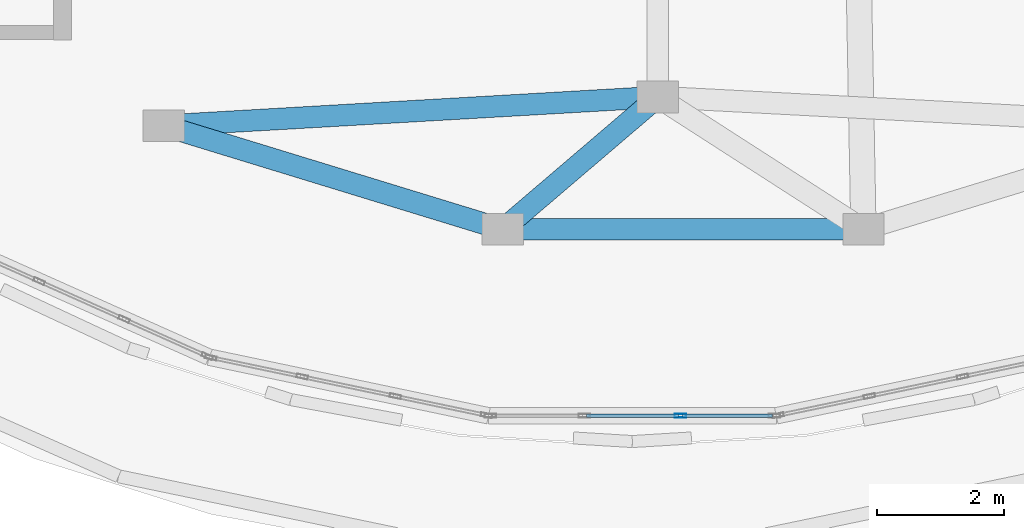
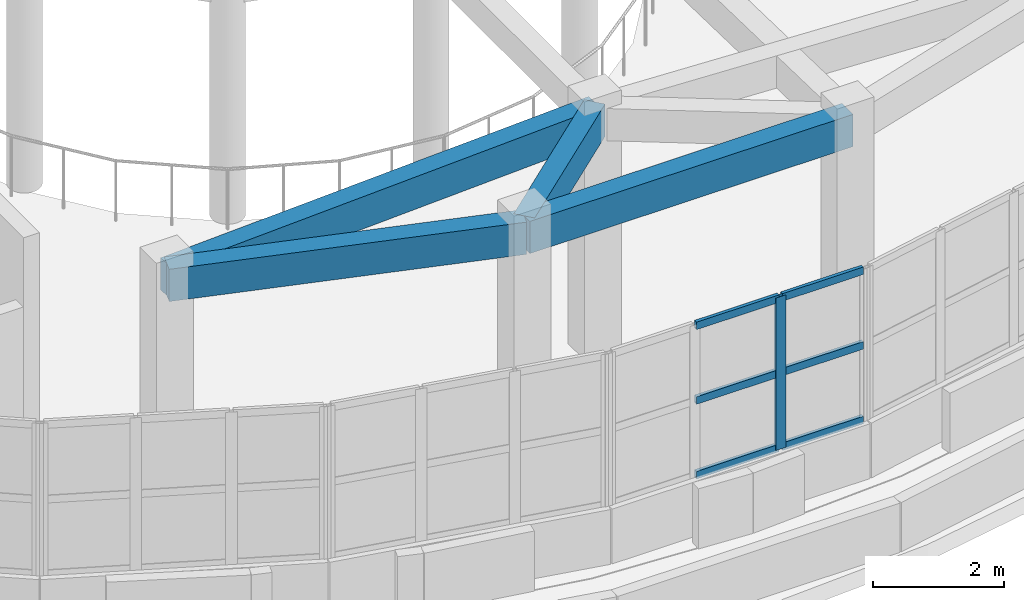
# One storey, part 6 of 98: 7 members, 4 beams, 1 element without a shape of its own.
"""IFC4 building model written with IfcOpenShell, lengths in metres."""

import ifcopenshell
import ifcopenshell.guid

model = None  # the IFC model being written
_history = None  # IfcOwnerHistory: only IFC2X3 demands one
_inside = {}  # id of a spatial element -> (the spatial element, [elements in it])
_under = {}  # id of a project, library or spatial element -> (it, [spatial elements below it])
_declared = {}  # id of a project -> (the project, [libraries it declares])
_typed = {}  # id of a type object -> (the type object, [elements of that type])
_made_of = {}  # id of a material, layer set ... -> (it, [elements and type objects made of it])


def new_model(schema):
    """Start an empty IFC model of exactly this schema.

    Asked for "IFC4X3", IfcOpenShell would pick the latest addendum, in which some entities
    have other attributes; the version numbers below select the first issue.
    IFC2X3 requires an IfcOwnerHistory on every rooted entity: one is made here for all.
    """
    global model, _history
    if schema == "IFC4X3":
        model = ifcopenshell.file(schema_version=(4, 3, 0, 0))
    else:
        model = ifcopenshell.file(schema=schema)
    _inside.clear()
    _under.clear()
    _declared.clear()
    _typed.clear()
    _made_of.clear()
    _history = None
    if model.schema == "IFC2X3":
        org = make("IfcOrganization", Name="unknown")
        user = make(
            "IfcPersonAndOrganization",
            ThePerson=make("IfcPerson", FamilyName="unknown"),
            TheOrganization=org,
        )
        app = make(
            "IfcApplication",
            ApplicationDeveloper=org,
            Version="unknown",
            ApplicationFullName="unknown",
            ApplicationIdentifier="unknown",
        )
        _history = make(
            "IfcOwnerHistory",
            OwningUser=user,
            OwningApplication=app,
            ChangeAction="ADDED",
            CreationDate=0,
        )
    return model


def make(cls, **values):
    """One entity of the class cls with the attributes given. An attribute that is None is left unset."""
    return model.create_entity(
        cls, **{name: value for name, value in values.items() if value is not None}
    )


def rooted(cls, **values):
    """An entity with a GlobalId (a new one), such as an element, a storey or a relation."""
    return make(cls, GlobalId=ifcopenshell.guid.new(), OwnerHistory=_history, **values)


def si_unit(unit_type, name, prefix=None):
    """IfcSIUnit, for example si_unit("LENGTHUNIT", "METRE", prefix="MILLI")."""
    return make("IfcSIUnit", UnitType=unit_type, Prefix=prefix, Name=name)


def assignment(units):
    """IfcUnitAssignment: the units of a project."""
    return None if units is None else make("IfcUnitAssignment", Units=units)


def point(xyz):
    """IfcCartesianPoint."""
    return None if xyz is None else make("IfcCartesianPoint", Coordinates=xyz)


def direction(xyz):
    """IfcDirection."""
    return None if xyz is None else make("IfcDirection", DirectionRatios=xyz)


def frame(location, z_axis=None, x_axis=None):
    """IfcAxis2Placement3D, a coordinate frame: its origin and axes. An axis left out is left unset."""
    return make(
        "IfcAxis2Placement3D",
        Location=point(location),
        Axis=direction(z_axis),
        RefDirection=direction(x_axis),
    )


def frame_2d(location, x_axis=None):
    """IfcAxis2Placement2D, a coordinate frame in the plane: its origin and x axis."""
    return make(
        "IfcAxis2Placement2D", Location=point(location), RefDirection=direction(x_axis)
    )


def origin():
    """The frame at (0, 0, 0) with its axes left unset."""
    return frame((0.0, 0.0, 0.0))


def origin_2d():
    """The frame at (0, 0) in the plane with its x axis left unset."""
    return frame_2d((0.0, 0.0))


def place(relative_to, where):
    """IfcLocalPlacement: puts the frame where relative to a parent placement (None: the world)."""
    return make(
        "IfcLocalPlacement", PlacementRelTo=relative_to, RelativePlacement=where
    )


def context(
    kind, dimensions, precision=None, world=None, true_north=None, identifier=None
):
    """IfcGeometricRepresentationContext, for example the 3D "Model" context."""
    return make(
        "IfcGeometricRepresentationContext",
        ContextIdentifier=identifier,
        ContextType=kind,
        CoordinateSpaceDimension=dimensions,
        Precision=precision,
        WorldCoordinateSystem=world,
        TrueNorth=true_north,
    )


def subcontext(parent, identifier, kind, view, scale=None):
    """IfcGeometricRepresentationSubContext, for example "Body" below "Model"."""
    return make(
        "IfcGeometricRepresentationSubContext",
        ContextIdentifier=identifier,
        ContextType=kind,
        ParentContext=parent,
        TargetScale=scale,
        TargetView=view,
    )


def project(units=None, contexts=None):
    """IfcProject with its units and contexts."""
    return rooted(
        "IfcProject",
        Name="project",
        RepresentationContexts=contexts,
        UnitsInContext=assignment(units),
    )


def spatial(cls, under=None, at=None, **own):
    """A site, building, storey or space (cls), placed at a placement, below another one or the project."""
    s = rooted(cls, ObjectPlacement=at, **own)
    if under is not None:
        _under.setdefault(under.id(), (under, []))[1].append(s)
    return s


def profile(cls, at=None, kind="AREA", **sizes):
    """A parametric profile (cls). Its sizes go by their IFC names, for example OverallWidth=200.0."""
    return make(cls, ProfileType=kind, Position=at, **sizes)


def rectangle(**sizes):
    """IfcRectangleProfileDef."""
    return profile("IfcRectangleProfileDef", **sizes)


def hollow_rectangle(**sizes):
    """IfcRectangleHollowProfileDef."""
    return profile("IfcRectangleHollowProfileDef", **sizes)


def extrude(swept, where, along, depth):
    """IfcExtrudedAreaSolid: the profile swept, set in the frame where, extruded along a direction by depth."""
    return make(
        "IfcExtrudedAreaSolid",
        SweptArea=swept,
        Position=where,
        ExtrudedDirection=direction(along),
        Depth=depth,
    )


def shape(context_of_items, identifier, shape_type, items):
    """IfcShapeRepresentation: the items that make up one representation, for example the "Body"."""
    return make(
        "IfcShapeRepresentation",
        ContextOfItems=context_of_items,
        RepresentationIdentifier=identifier,
        RepresentationType=shape_type,
        Items=items,
    )


def material(Name=None, Category=None):
    """IfcMaterial."""
    return make("IfcMaterial", Name=Name, Category=Category)


def layer(
    of_material, thickness, ventilated=None, Name=None, Category=None, Priority=None
):
    """IfcMaterialLayer: one layer of a wall or slab, of a material (None: an air gap)."""
    return make(
        "IfcMaterialLayer",
        Material=of_material,
        LayerThickness=thickness,
        IsVentilated=ventilated,
        Name=Name,
        Category=Category,
        Priority=Priority,
    )


def layer_set(layers, Name=None):
    """IfcMaterialLayerSet."""
    return make("IfcMaterialLayerSet", MaterialLayers=layers, LayerSetName=Name)


def material_profile(
    of_material, cross_section, Name=None, Category=None, Priority=None
):
    """IfcMaterialProfile: a cross section and its material."""
    return make(
        "IfcMaterialProfile",
        Name=Name,
        Material=of_material,
        Profile=cross_section,
        Priority=Priority,
        Category=Category,
    )


def profile_set(profiles, Name=None, composite=None):
    """IfcMaterialProfileSet."""
    return make(
        "IfcMaterialProfileSet",
        Name=Name,
        MaterialProfiles=profiles,
        CompositeProfile=composite,
    )


def made_of(thing, what):
    """Note that an element or type object is made of a material, layer set ...; save() writes the relation."""
    if what is not None:
        _made_of.setdefault(what.id(), (what, []))[1].append(thing)
    return thing


def type_object(cls, material=None, **own):
    """A type object (cls), such as IfcWallType, which elements share."""
    return made_of(rooted(cls, **own), material)


def element(
    cls,
    number,
    at=None,
    inside=None,
    cuts=None,
    type_object=None,
    material=None,
    context=None,
    identifier="Body",
    shape_type=None,
    held_by="IfcProductDefinitionShape",
    body=None,
    shapes=None,
    **own,
):
    """One element of the class cls, such as IfcWall. Its Tag is "e" and its number.

    at: its placement. inside: the storey or other place that contains it. cuts: it is an
    opening in that element (IfcRelVoidsElement). A single representation is given by context,
    identifier, shape_type and body (its items); several are given by shapes. held_by: the class
    of the entity that holds the representations. save() writes the other relations.
    """
    e = rooted(cls, Tag="e%d" % number, ObjectPlacement=at, **own)
    if body is not None:
        shapes = [shape(context, identifier, shape_type, body)]
    if shapes is not None:
        e.Representation = make(held_by, Representations=shapes)
    if inside is not None:
        _inside.setdefault(inside.id(), (inside, []))[1].append(e)
    if cuts is not None:
        rooted(
            "IfcRelVoidsElement", RelatingBuildingElement=cuts, RelatedOpeningElement=e
        )
    if type_object is not None:
        _typed.setdefault(type_object.id(), (type_object, []))[1].append(e)
    return made_of(e, material)


def aggregate(whole, parts):
    """IfcRelAggregates: a whole, such as a stair, and the parts it consists of."""
    return rooted("IfcRelAggregates", RelatingObject=whole, RelatedObjects=parts)


def save(model, path):
    """Write the relations noted so far, then the file.

    IfcRelAggregates (storeys below a building ...), IfcRelContainedInSpatialStructure (elements
    in a storey), IfcRelDefinesByType, IfcRelAssociatesMaterial and IfcRelDeclares: one each for
    every whole, place, type object, material and project.
    """
    for whole, parts in _under.values():
        aggregate(whole, parts)
    for where, things in _inside.values():
        rooted(
            "IfcRelContainedInSpatialStructure",
            RelatedElements=things,
            RelatingStructure=where,
        )
    for kind, things in _typed.values():
        rooted("IfcRelDefinesByType", RelatedObjects=things, RelatingType=kind)
    for what, things in _made_of.values():
        rooted("IfcRelAssociatesMaterial", RelatedObjects=things, RelatingMaterial=what)
    for by, libraries in _declared.values():
        rooted("IfcRelDeclares", RelatingContext=by, RelatedDefinitions=libraries)
    model.write(path)


model = new_model("IFC4")

# Units and contexts
model_context = context("Model", 3, precision=1e-05, world=origin(), true_north=direction((0.0, 1.0)))
body_context = subcontext(model_context, "Body", "Model", "MODEL_VIEW")
ifc_project = project(units=[si_unit("LENGTHUNIT", "METRE"), si_unit("AREAUNIT", "SQUARE_METRE"), si_unit("VOLUMEUNIT", "CUBIC_METRE"), si_unit("PLANEANGLEUNIT", "RADIAN"), si_unit("MASSUNIT", "GRAM", prefix="KILO")], contexts=[model_context])

# Site, building, storey
site_placement = place(None, origin())
site = spatial("IfcSite", under=ifc_project, at=site_placement, CompositionType="ELEMENT")
building_placement = place(site_placement, origin())
building = spatial("IfcBuilding", under=site, at=building_placement, Name="Pelvatis Terrace Science Centre", CompositionType="ELEMENT")
storey_placement = place(building_placement, frame((0.0, 0.0, 5.39990234375)))
storey = spatial("IfcBuildingStorey", under=building, at=storey_placement, Name="L01", CompositionType="ELEMENT", Elevation=5.39990234375)

# Curtain wall, members
ifc_material_1 = material(Name="Bronze-anodised aluminium and laminated glass", Category="aluminium")
ifc_layer = layer(ifc_material_1, 0.179931640625)
ifc_layer_set = layer_set([ifc_layer], Name="Bronze-anodised aluminium and laminated glass")
curtain_wall_type = type_object("IfcCurtainWallType", Name="CW-RIBBON-A", PredefinedType="NOTDEFINED", material=ifc_layer_set)
curtain_wall_placement = place(storey_placement, origin())
curtain_wall = element("IfcCurtainWall", 1, at=curtain_wall_placement, inside=storey, type_object=curtain_wall_type, Name="Ribbon curtain wall CW-036 (L01)", PredefinedType="NOTDEFINED")
ifc_material_2 = material(Name="Bronze-anodised aluminium 6063-T6", Category="aluminium")
ifc_material_profile_1 = material_profile(ifc_material_2, hollow_rectangle(XDim=0.06005859375, YDim=0.179931640625, WallThickness=0.00390625, at=origin_2d()), Name="ALU-MUL 60x180")
ifc_profile_set_1 = profile_set([ifc_material_profile_1], Name="Bronze-anodised aluminium 6063-T6")
member_type_1 = type_object("IfcMemberType", Name="CWM-60x180", PredefinedType="MULLION", material=ifc_profile_set_1)
member_1_placement = place(storey_placement, frame((47.157470703125, 18.866943359375, 1.02001953125), z_axis=(0.0, 0.0, 1.0), x_axis=(0.0, 1.0, 0.0)))
member_1 = element("IfcMember", 2, at=member_1_placement, type_object=member_type_1, Name="CW-036 mullion 3", PredefinedType="MULLION", context=body_context, shape_type="SweptSolid", body=[
    extrude(hollow_rectangle(XDim=0.06005859375, YDim=0.179931640625, WallThickness=0.00390625, at=origin_2d()), origin(), (0.0, 0.0, 1.0), 2.840087890625),
])
ifc_material_3 = material(Name="Bronze-anodised aluminium 6063-T6", Category="aluminium")
ifc_material_profile_2 = material_profile(ifc_material_3, hollow_rectangle(XDim=0.06005859375, YDim=0.139892578125, WallThickness=0.00390625, at=origin_2d()), Name="ALU-TRN 60x140")
ifc_profile_set_2 = profile_set([ifc_material_profile_2], Name="Bronze-anodised aluminium 6063-T6")
member_type_2 = type_object("IfcMemberType", Name="CWT-60x140", PredefinedType="USERDEFINED", material=ifc_profile_set_2)
member_2_placement = place(storey_placement, frame((45.672607421875, 18.866943359375, 1.050048828125), z_axis=(1.0, 0.0, 0.0), x_axis=(0.0, 1.0, 0.0)))
member_2 = element("IfcMember", 3, at=member_2_placement, type_object=member_type_2, Name="CW-036 transom 2.1", ObjectType="TRANSOM", PredefinedType="USERDEFINED", context=body_context, shape_type="SweptSolid", body=[
    extrude(hollow_rectangle(XDim=0.06005859375, YDim=0.139892578125, WallThickness=0.00390625, at=origin_2d()), origin(), (0.0, 0.0, 1.0), 1.454833984375),
])
member_3_placement = place(storey_placement, frame((45.672607421875, 18.866943359375, 2.440185546875), z_axis=(1.0, 0.0, 0.0), x_axis=(0.0, 1.0, 0.0)))
member_3 = element("IfcMember", 4, at=member_3_placement, type_object=member_type_2, Name="CW-036 transom 2.2", ObjectType="TRANSOM", PredefinedType="USERDEFINED", context=body_context, shape_type="SweptSolid", body=[
    extrude(hollow_rectangle(XDim=0.06005859375, YDim=0.139892578125, WallThickness=0.00390625, at=origin_2d()), origin(), (0.0, 0.0, 1.0), 1.454833984375),
])
member_4_placement = place(storey_placement, frame((45.672607421875, 18.866943359375, 3.830078125), z_axis=(1.0, 0.0, 0.0), x_axis=(0.0, 1.0, 0.0)))
member_4 = element("IfcMember", 5, at=member_4_placement, type_object=member_type_2, Name="CW-036 transom 2.3", ObjectType="TRANSOM", PredefinedType="USERDEFINED", context=body_context, shape_type="SweptSolid", body=[
    extrude(hollow_rectangle(XDim=0.06005859375, YDim=0.139892578125, WallThickness=0.00390625, at=origin_2d()), origin(), (0.0, 0.0, 1.0), 1.454833984375),
])
member_5_placement = place(storey_placement, frame((47.187255859375, 18.866943359375, 1.050048828125), z_axis=(1.0, 0.0, 0.0), x_axis=(0.0, 1.0, 0.0)))
member_5 = element("IfcMember", 6, at=member_5_placement, type_object=member_type_2, Name="CW-036 transom 3.1", ObjectType="TRANSOM", PredefinedType="USERDEFINED", context=body_context, shape_type="SweptSolid", body=[
    extrude(hollow_rectangle(XDim=0.06005859375, YDim=0.139892578125, WallThickness=0.00390625, at=origin_2d()), origin(), (0.0, 0.0, 1.0), 1.4248046875),
])
member_6_placement = place(storey_placement, frame((47.187255859375, 18.866943359375, 2.440185546875), z_axis=(1.0, 0.0, 0.0), x_axis=(0.0, 1.0, 0.0)))
member_6 = element("IfcMember", 7, at=member_6_placement, type_object=member_type_2, Name="CW-036 transom 3.2", ObjectType="TRANSOM", PredefinedType="USERDEFINED", context=body_context, shape_type="SweptSolid", body=[
    extrude(hollow_rectangle(XDim=0.06005859375, YDim=0.139892578125, WallThickness=0.00390625, at=origin_2d()), origin(), (0.0, 0.0, 1.0), 1.4248046875),
])
member_7_placement = place(storey_placement, frame((47.187255859375, 18.866943359375, 3.830078125), z_axis=(1.0, 0.0, 0.0), x_axis=(0.0, 1.0, 0.0)))
member_7 = element("IfcMember", 8, at=member_7_placement, type_object=member_type_2, Name="CW-036 transom 3.3", ObjectType="TRANSOM", PredefinedType="USERDEFINED", context=body_context, shape_type="SweptSolid", body=[
    extrude(hollow_rectangle(XDim=0.06005859375, YDim=0.139892578125, WallThickness=0.00390625, at=origin_2d()), origin(), (0.0, 0.0, 1.0), 1.4248046875),
])
aggregate(curtain_wall, [member_1, member_2, member_3, member_4, member_5, member_6, member_7])

# Beams
ifc_material_4 = material(Name="Concrete C35/45", Category="concrete")
ifc_material_profile_3 = material_profile(ifc_material_4, rectangle(XDim=0.340087890625, YDim=0.60009765625, at=origin_2d()), Name="RC-SPN 340x600")
ifc_profile_set_3 = profile_set([ifc_material_profile_3], Name="Concrete C35/45")
beam_type = type_object("IfcBeamType", Name="SPN-RC-340x600", PredefinedType="SPANDREL", material=ifc_profile_set_3)
beam_1_placement = place(storey_placement, frame((39.0, 23.44873046875, 4.239990234375), z_axis=(0.95617703215, -0.292789144589, 0.0), x_axis=(0.292789144589, 0.95617703215, 0.0)))
element("IfcBeam", 9, at=beam_1_placement, inside=storey, type_object=beam_type, Name="Spandrel SP-L01-2696", PredefinedType="SPANDREL", context=body_context, shape_type="SweptSolid", body=[
    extrude(rectangle(XDim=0.340087890625, YDim=0.60009765625, at=origin_2d()), origin(), (0.0, 0.0, 1.0), 5.59765625),
])
beam_2_placement = place(storey_placement, frame((39.0, 23.44873046875, 4.239990234375), z_axis=(0.998331326778, 0.057745666277, 0.0), x_axis=(-0.057745666277, 0.998331326778, 0.0)))
element("IfcBeam", 10, at=beam_2_placement, inside=storey, type_object=beam_type, Name="Spandrel SP-L01-2697", PredefinedType="SPANDREL", context=body_context, shape_type="SweptSolid", body=[
    extrude(rectangle(XDim=0.340087890625, YDim=0.60009765625, at=origin_2d()), origin(), (0.0, 0.0, 1.0), 7.81298828125),
])
beam_3_placement = place(storey_placement, frame((44.352294921875, 21.809814453125, 4.239990234375), z_axis=(1.0, 0.0, 0.0), x_axis=(0.0, 1.0, 0.0)))
element("IfcBeam", 11, at=beam_3_placement, inside=storey, type_object=beam_type, Name="Spandrel SP-L01-2698", PredefinedType="SPANDREL", context=body_context, shape_type="SweptSolid", body=[
    extrude(rectangle(XDim=0.340087890625, YDim=0.60009765625, at=origin_2d()), origin(), (0.0, 0.0, 1.0), 5.695556640625),
])
beam_4_placement = place(storey_placement, frame((44.352294921875, 21.809814453125, 4.239990234375), z_axis=(0.760481362728, 0.649359759258, 0.0), x_axis=(-0.649359759258, 0.760481362728, 0.0)))
element("IfcBeam", 12, at=beam_4_placement, inside=storey, type_object=beam_type, Name="Spandrel SP-L01-2699", PredefinedType="SPANDREL", context=body_context, shape_type="SweptSolid", body=[
    extrude(rectangle(XDim=0.340087890625, YDim=0.60009765625, at=origin_2d()), origin(), (0.0, 0.0, 1.0), 3.21875),
])

save(model, "model.ifc")
